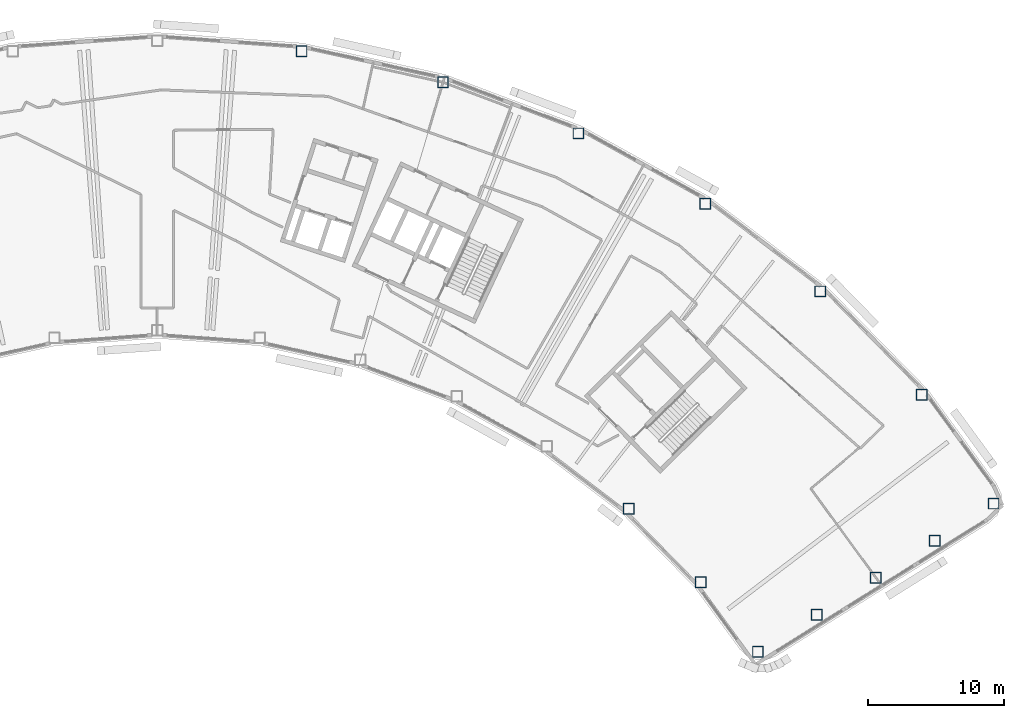
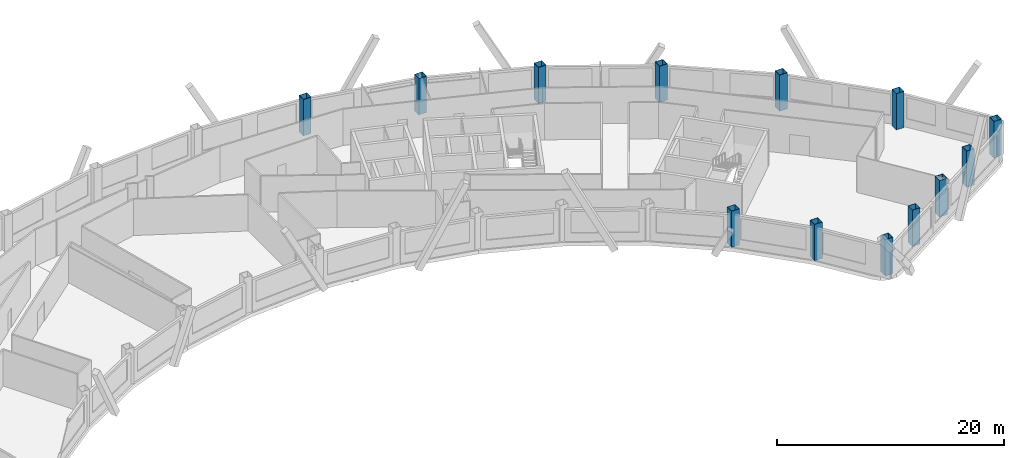
# One storey, part 2 of 13: 13 columns.
"""IFC4 building model written with IfcOpenShell, lengths in metres."""

import ifcopenshell
import ifcopenshell.guid

model = None  # the IFC model being written
_history = None  # IfcOwnerHistory: only IFC2X3 demands one
_inside = {}  # id of a spatial element -> (the spatial element, [elements in it])
_under = {}  # id of a project, library or spatial element -> (it, [spatial elements below it])
_declared = {}  # id of a project -> (the project, [libraries it declares])
_typed = {}  # id of a type object -> (the type object, [elements of that type])
_made_of = {}  # id of a material, layer set ... -> (it, [elements and type objects made of it])


def new_model(schema):
    """Start an empty IFC model of exactly this schema.

    Asked for "IFC4X3", IfcOpenShell would pick the latest addendum, in which some entities
    have other attributes; the version numbers below select the first issue.
    IFC2X3 requires an IfcOwnerHistory on every rooted entity: one is made here for all.
    """
    global model, _history
    if schema == "IFC4X3":
        model = ifcopenshell.file(schema_version=(4, 3, 0, 0))
    else:
        model = ifcopenshell.file(schema=schema)
    _inside.clear()
    _under.clear()
    _declared.clear()
    _typed.clear()
    _made_of.clear()
    _history = None
    if model.schema == "IFC2X3":
        org = make("IfcOrganization", Name="unknown")
        user = make(
            "IfcPersonAndOrganization",
            ThePerson=make("IfcPerson", FamilyName="unknown"),
            TheOrganization=org,
        )
        app = make(
            "IfcApplication",
            ApplicationDeveloper=org,
            Version="unknown",
            ApplicationFullName="unknown",
            ApplicationIdentifier="unknown",
        )
        _history = make(
            "IfcOwnerHistory",
            OwningUser=user,
            OwningApplication=app,
            ChangeAction="ADDED",
            CreationDate=0,
        )
    return model


def make(cls, **values):
    """One entity of the class cls with the attributes given. An attribute that is None is left unset."""
    return model.create_entity(
        cls, **{name: value for name, value in values.items() if value is not None}
    )


def rooted(cls, **values):
    """An entity with a GlobalId (a new one), such as an element, a storey or a relation."""
    return make(cls, GlobalId=ifcopenshell.guid.new(), OwnerHistory=_history, **values)


def si_unit(unit_type, name, prefix=None):
    """IfcSIUnit, for example si_unit("LENGTHUNIT", "METRE", prefix="MILLI")."""
    return make("IfcSIUnit", UnitType=unit_type, Prefix=prefix, Name=name)


def assignment(units):
    """IfcUnitAssignment: the units of a project."""
    return None if units is None else make("IfcUnitAssignment", Units=units)


def point(xyz):
    """IfcCartesianPoint."""
    return None if xyz is None else make("IfcCartesianPoint", Coordinates=xyz)


def direction(xyz):
    """IfcDirection."""
    return None if xyz is None else make("IfcDirection", DirectionRatios=xyz)


def frame(location, z_axis=None, x_axis=None):
    """IfcAxis2Placement3D, a coordinate frame: its origin and axes. An axis left out is left unset."""
    return make(
        "IfcAxis2Placement3D",
        Location=point(location),
        Axis=direction(z_axis),
        RefDirection=direction(x_axis),
    )


def frame_2d(location, x_axis=None):
    """IfcAxis2Placement2D, a coordinate frame in the plane: its origin and x axis."""
    return make(
        "IfcAxis2Placement2D", Location=point(location), RefDirection=direction(x_axis)
    )


def origin():
    """The frame at (0, 0, 0) with its axes left unset."""
    return frame((0.0, 0.0, 0.0))


def origin_2d():
    """The frame at (0, 0) in the plane with its x axis left unset."""
    return frame_2d((0.0, 0.0))


def place(relative_to, where):
    """IfcLocalPlacement: puts the frame where relative to a parent placement (None: the world)."""
    return make(
        "IfcLocalPlacement", PlacementRelTo=relative_to, RelativePlacement=where
    )


def context(
    kind, dimensions, precision=None, world=None, true_north=None, identifier=None
):
    """IfcGeometricRepresentationContext, for example the 3D "Model" context."""
    return make(
        "IfcGeometricRepresentationContext",
        ContextIdentifier=identifier,
        ContextType=kind,
        CoordinateSpaceDimension=dimensions,
        Precision=precision,
        WorldCoordinateSystem=world,
        TrueNorth=true_north,
    )


def subcontext(parent, identifier, kind, view, scale=None):
    """IfcGeometricRepresentationSubContext, for example "Body" below "Model"."""
    return make(
        "IfcGeometricRepresentationSubContext",
        ContextIdentifier=identifier,
        ContextType=kind,
        ParentContext=parent,
        TargetScale=scale,
        TargetView=view,
    )


def project(units=None, contexts=None):
    """IfcProject with its units and contexts."""
    return rooted(
        "IfcProject",
        Name="project",
        RepresentationContexts=contexts,
        UnitsInContext=assignment(units),
    )


def spatial(cls, under=None, at=None, **own):
    """A site, building, storey or space (cls), placed at a placement, below another one or the project."""
    s = rooted(cls, ObjectPlacement=at, **own)
    if under is not None:
        _under.setdefault(under.id(), (under, []))[1].append(s)
    return s


def profile(cls, at=None, kind="AREA", **sizes):
    """A parametric profile (cls). Its sizes go by their IFC names, for example OverallWidth=200.0."""
    return make(cls, ProfileType=kind, Position=at, **sizes)


def hollow_rectangle(**sizes):
    """IfcRectangleHollowProfileDef."""
    return profile("IfcRectangleHollowProfileDef", **sizes)


def extrude(swept, where, along, depth):
    """IfcExtrudedAreaSolid: the profile swept, set in the frame where, extruded along a direction by depth."""
    return make(
        "IfcExtrudedAreaSolid",
        SweptArea=swept,
        Position=where,
        ExtrudedDirection=direction(along),
        Depth=depth,
    )


def shape(context_of_items, identifier, shape_type, items):
    """IfcShapeRepresentation: the items that make up one representation, for example the "Body"."""
    return make(
        "IfcShapeRepresentation",
        ContextOfItems=context_of_items,
        RepresentationIdentifier=identifier,
        RepresentationType=shape_type,
        Items=items,
    )


def material(Name=None, Category=None):
    """IfcMaterial."""
    return make("IfcMaterial", Name=Name, Category=Category)


def material_profile(
    of_material, cross_section, Name=None, Category=None, Priority=None
):
    """IfcMaterialProfile: a cross section and its material."""
    return make(
        "IfcMaterialProfile",
        Name=Name,
        Material=of_material,
        Profile=cross_section,
        Priority=Priority,
        Category=Category,
    )


def profile_set(profiles, Name=None, composite=None):
    """IfcMaterialProfileSet."""
    return make(
        "IfcMaterialProfileSet",
        Name=Name,
        MaterialProfiles=profiles,
        CompositeProfile=composite,
    )


def made_of(thing, what):
    """Note that an element or type object is made of a material, layer set ...; save() writes the relation."""
    if what is not None:
        _made_of.setdefault(what.id(), (what, []))[1].append(thing)
    return thing


def type_object(cls, material=None, **own):
    """A type object (cls), such as IfcWallType, which elements share."""
    return made_of(rooted(cls, **own), material)


def element(
    cls,
    number,
    at=None,
    inside=None,
    cuts=None,
    type_object=None,
    material=None,
    context=None,
    identifier="Body",
    shape_type=None,
    held_by="IfcProductDefinitionShape",
    body=None,
    shapes=None,
    **own,
):
    """One element of the class cls, such as IfcWall. Its Tag is "e" and its number.

    at: its placement. inside: the storey or other place that contains it. cuts: it is an
    opening in that element (IfcRelVoidsElement). A single representation is given by context,
    identifier, shape_type and body (its items); several are given by shapes. held_by: the class
    of the entity that holds the representations. save() writes the other relations.
    """
    e = rooted(cls, Tag="e%d" % number, ObjectPlacement=at, **own)
    if body is not None:
        shapes = [shape(context, identifier, shape_type, body)]
    if shapes is not None:
        e.Representation = make(held_by, Representations=shapes)
    if inside is not None:
        _inside.setdefault(inside.id(), (inside, []))[1].append(e)
    if cuts is not None:
        rooted(
            "IfcRelVoidsElement", RelatingBuildingElement=cuts, RelatedOpeningElement=e
        )
    if type_object is not None:
        _typed.setdefault(type_object.id(), (type_object, []))[1].append(e)
    return made_of(e, material)


def aggregate(whole, parts):
    """IfcRelAggregates: a whole, such as a stair, and the parts it consists of."""
    return rooted("IfcRelAggregates", RelatingObject=whole, RelatedObjects=parts)


def save(model, path):
    """Write the relations noted so far, then the file.

    IfcRelAggregates (storeys below a building ...), IfcRelContainedInSpatialStructure (elements
    in a storey), IfcRelDefinesByType, IfcRelAssociatesMaterial and IfcRelDeclares: one each for
    every whole, place, type object, material and project.
    """
    for whole, parts in _under.values():
        aggregate(whole, parts)
    for where, things in _inside.values():
        rooted(
            "IfcRelContainedInSpatialStructure",
            RelatedElements=things,
            RelatingStructure=where,
        )
    for kind, things in _typed.values():
        rooted("IfcRelDefinesByType", RelatedObjects=things, RelatingType=kind)
    for what, things in _made_of.values():
        rooted("IfcRelAssociatesMaterial", RelatedObjects=things, RelatingMaterial=what)
    for by, libraries in _declared.values():
        rooted("IfcRelDeclares", RelatingContext=by, RelatedDefinitions=libraries)
    model.write(path)


model = new_model("IFC4")

# Units and contexts
model_context = context("Model", 3, precision=1e-05, world=origin(), true_north=direction((0.0, 1.0)))
body_context = subcontext(model_context, "Body", "Model", "MODEL_VIEW")
ifc_project = project(units=[si_unit("LENGTHUNIT", "METRE"), si_unit("AREAUNIT", "SQUARE_METRE"), si_unit("VOLUMEUNIT", "CUBIC_METRE"), si_unit("PLANEANGLEUNIT", "RADIAN"), si_unit("MASSUNIT", "GRAM", prefix="KILO")], contexts=[model_context])

# Site, building, storey
site_placement = place(None, origin())
site = spatial("IfcSite", under=ifc_project, at=site_placement, CompositionType="ELEMENT")
building_placement = place(site_placement, origin())
building = spatial("IfcBuilding", under=site, at=building_placement, Name="Tuul Gate Civic Tower", CompositionType="ELEMENT")
storey_placement = place(building_placement, frame((0.0, 0.0, 248.39990234375)))
storey = spatial("IfcBuildingStorey", under=building, at=storey_placement, Name="Level 56", CompositionType="ELEMENT", Elevation=248.39990234375)

# Columns
ifc_material = material(Name="Steel S355", Category="steel")
ifc_material_profile = material_profile(ifc_material, hollow_rectangle(XDim=0.800048828125, YDim=0.800048828125, WallThickness=0.031982421875, at=origin_2d()), Name="BOX800x800x32")
ifc_profile_set = profile_set([ifc_material_profile], Name="Steel S355")
column_type = type_object("IfcColumnType", Name="STR-COLUMN-BOX800x800x32", PredefinedType="COLUMN", material=ifc_profile_set)
for number, where, z_axis, x_axis, name in (
    (1, (72.701904296875, -20.654052734375, 0.0), (0.0, 0.0, 1.0), (1.0, 0.0, 0.0), "Column"),
    (2, (67.403076171875, -12.64208984375, 0.0), (0.0, 0.0, 1.0), (1.0, 0.0, 0.0), "Column"),
    (3, (59.927978515625, -5.01708984375, 0.0), (0.0, 0.0, 1.0), (1.0, 0.0, 0.0), "Column"),
    (4, (51.43310546875, 1.451904296875, 0.0), (0.0, 0.0, 1.0), (1.0, 0.0, 0.0), "Column"),
    (5, (42.094970703125, 6.6279296875, 0.0), (0.0, 0.0, 1.0), (1.0, 0.0, 0.0), "Column"),
    (6, (32.10791015625, 10.405029296875, 0.0), (0.0, 0.0, 1.0), (1.0, 0.0, 0.0), "Column"),
    (7, (21.679931640625, 12.702880859375, 0.0), (0.0, 0.0, 1.0), (1.0, 0.0, 0.0), "Column"),
    (8, (45.798095703125, -21.029052734375, 0.0), (0.0, 0.0, 1.0), (1.0, 0.0, 0.0), "Column"),
    (9, (51.112060546875, -26.449951171875, 0.0), (0.0, 0.0, 1.0), (1.0, 0.0, 0.0), "Column"),
    (10, (55.33203125, -31.592041015625, 0.0), (0.0, 0.0, 1.0), (1.0, 0.0, 0.0), "Column"),
    (11, (59.674072265625, -28.85791015625, 0.0), (0.0, 0.0, 1.0), (1.0, 0.0, 0.0), "Column"),
    (12, (64.01708984375, -26.123046875, 0.0), (0.0, 0.0, 1.0), (1.0, 0.0, 0.0), "Column"),
    (13, (68.35888671875, -23.388916015625, 0.0), (0.0, 0.0, 1.0), (1.0, 0.0, 0.0), "Column"),
):
    element("IfcColumn", number, at=place(storey_placement, frame(where, z_axis=z_axis, x_axis=x_axis)), inside=storey, type_object=column_type, Name=name, PredefinedType="COLUMN", context=body_context, shape_type="SweptSolid", body=[
        extrude(hollow_rectangle(XDim=0.800048828125, YDim=0.800048828125, WallThickness=0.031982421875, at=origin_2d()), origin(), (0.0, 0.0, 1.0), 3.900146484375),
    ])

save(model, "model.ifc")
